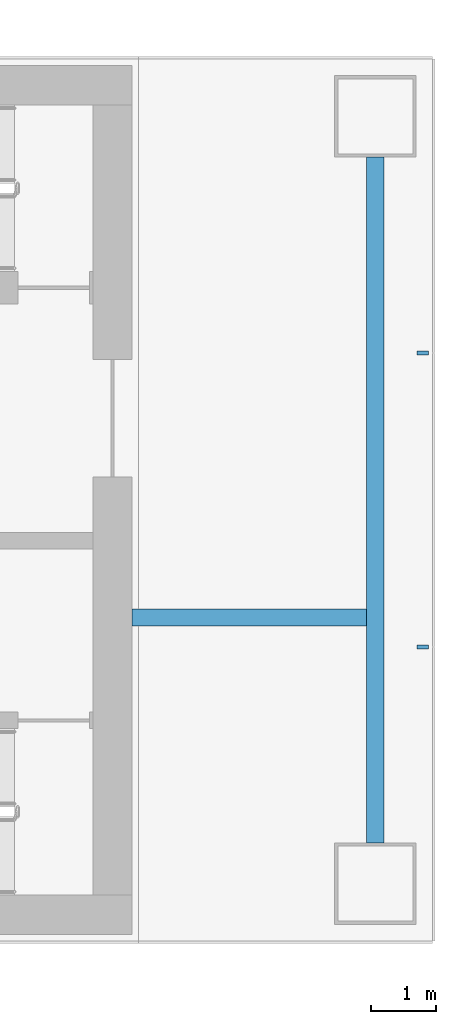
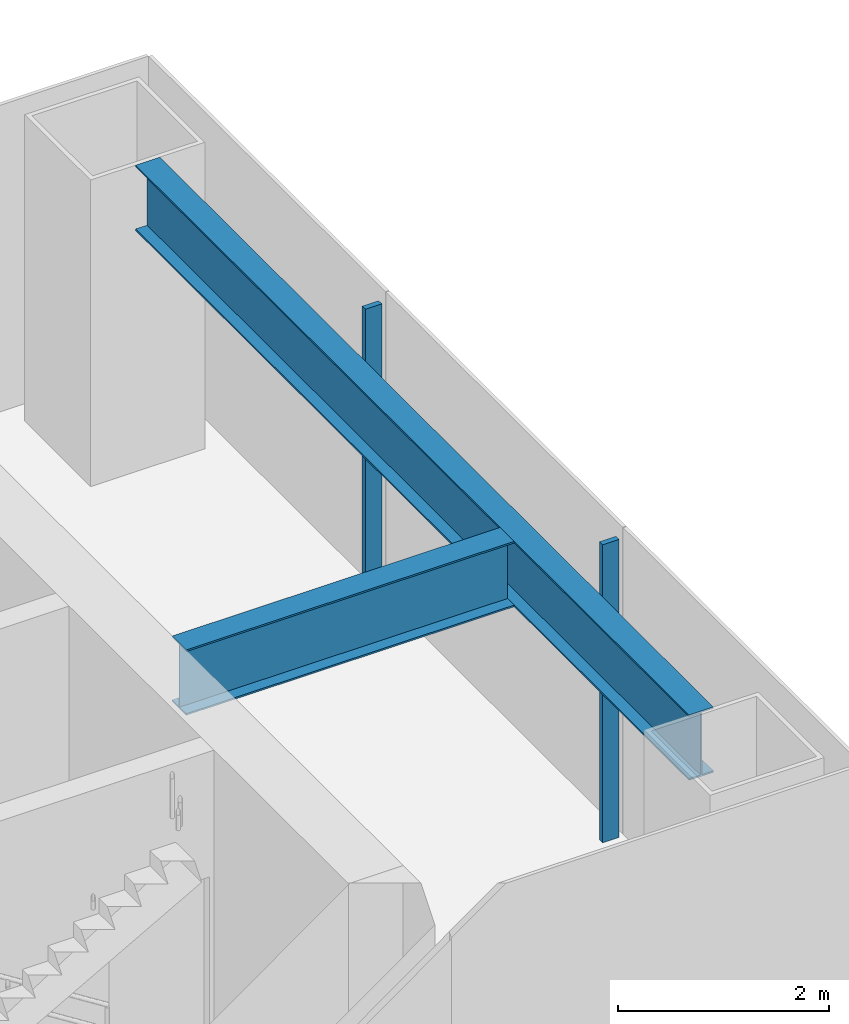
# One storey, part 7 of 20: 2 beams, 2 members, 1 element without a shape of its own.
"""IFC4 building model written with IfcOpenShell, lengths in metres."""

from ifc_helpers import new_model, si_unit, direction, frame, origin, origin_2d, place, context, subcontext, project, spatial, rectangle, i_section, extrude, material, layer, layer_set, material_profile, profile_set, type_object, element, aggregate, save


model = new_model("IFC4")

# Units and contexts
model_context = context("Model", 3, precision=1e-05, world=origin(), true_north=direction((0.0, 1.0)))
body_context = subcontext(model_context, "Body", "Model", "MODEL_VIEW")
ifc_project = project(units=[si_unit("LENGTHUNIT", "METRE"), si_unit("AREAUNIT", "SQUARE_METRE"), si_unit("VOLUMEUNIT", "CUBIC_METRE"), si_unit("PLANEANGLEUNIT", "RADIAN"), si_unit("MASSUNIT", "GRAM", prefix="KILO")], contexts=[model_context])

# Site, building, storey
site_placement = place(None, origin())
site = spatial("IfcSite", under=ifc_project, at=site_placement, CompositionType="ELEMENT")
building_placement = place(site_placement, origin())
building = spatial("IfcBuilding", under=site, at=building_placement, Name="Shamsa Quay Exchange Towers", CompositionType="ELEMENT")
storey_placement = place(building_placement, frame((0.0, 0.0, 120.89990234375)))
storey = spatial("IfcBuildingStorey", under=building, at=storey_placement, Name="L28", CompositionType="ELEMENT", Elevation=120.89990234375)

# Curtain wall, members
ifc_material_1 = material(Name="Aluminium EN AW-6063 T6, black anodised", Category="aluminium")
ifc_layer = layer(ifc_material_1, 0.280029296875)
ifc_layer_set = layer_set([ifc_layer], Name="CW-1 UNITISED VISION GLASS")
curtain_wall_type = type_object("IfcCurtainWallType", Name="CW-1 UNITISED VISION GLASS", PredefinedType="NOTDEFINED", material=ifc_layer_set)
curtain_wall_placement = place(storey_placement, origin())
curtain_wall = element("IfcCurtainWall", 1, at=curtain_wall_placement, inside=storey, type_object=curtain_wall_type, Name="CW1 T2-END-V- L28", PredefinedType="NOTDEFINED")
ifc_material_profile_1 = material_profile(ifc_material_1, rectangle(XDim=0.179931640625, YDim=0.06005859375, at=origin_2d()), Name="MU60x180")
ifc_profile_set_1 = profile_set([ifc_material_profile_1], Name="Aluminium EN AW-6063 T6, black anodised")
member_type = type_object("IfcMemberType", Name="CW1 MULLION 60x180", PredefinedType="MULLION", material=ifc_profile_set_1)
member_1_placement = place(storey_placement, frame((58.35009765625, -2.25, 0.0), z_axis=(0.0, 0.0, 1.0), x_axis=(-1.0, 0.0, 0.0)))
member_1 = element("IfcMember", 2, at=member_1_placement, type_object=member_type, Name="CW1 mullion", PredefinedType="MULLION", context=body_context, shape_type="SweptSolid", body=[
    extrude(rectangle(XDim=0.179931640625, YDim=0.06005859375, at=origin_2d()), origin(), (0.0, 0.0, 1.0), 3.4501953125),
])
member_2_placement = place(storey_placement, frame((58.35009765625, 2.25, 0.0), z_axis=(0.0, 0.0, 1.0), x_axis=(-1.0, 0.0, 0.0)))
member_2 = element("IfcMember", 3, at=member_2_placement, type_object=member_type, Name="CW1 mullion", PredefinedType="MULLION", context=body_context, shape_type="SweptSolid", body=[
    extrude(rectangle(XDim=0.179931640625, YDim=0.06005859375, at=origin_2d()), origin(), (0.0, 0.0, 1.0), 3.4501953125),
])
aggregate(curtain_wall, [member_1, member_2])

# Beams
ifc_material_2 = material(Name="Steel S355", Category="steel")
ifc_material_profile_2 = material_profile(ifc_material_2, i_section(OverallWidth=0.26611328125, OverallDepth=0.7578125, WebThickness=0.013916015625, FlangeThickness=0.019287109375, at=origin_2d()), Name="W30x108")
ifc_profile_set_2 = profile_set([ifc_material_profile_2], Name="Steel S355")
beam_type = type_object("IfcBeamType", Name="End-zone beam W30x108", PredefinedType="BEAM", material=ifc_profile_set_2)
beam_1_placement = place(storey_placement, frame((57.625, -5.25, 3.171142578125), z_axis=(0.0, 1.0, 0.0), x_axis=(-1.0, 0.0, 0.0)))
element("IfcBeam", 4, at=beam_1_placement, inside=storey, type_object=beam_type, Name="End beam T2 V- end zone L28", PredefinedType="BEAM", context=body_context, shape_type="SweptSolid", body=[
    extrude(i_section(OverallWidth=0.26611328125, OverallDepth=0.7578125, WebThickness=0.013916015625, FlangeThickness=0.019287109375, at=origin_2d()), origin(), (0.0, 0.0, 1.0), 10.5),
])
beam_2_placement = place(storey_placement, frame((53.89990234375, -1.800048828125, 3.171142578125), z_axis=(1.0, 0.0, 0.0), x_axis=(0.0, 1.0, 0.0)))
element("IfcBeam", 5, at=beam_2_placement, inside=storey, type_object=beam_type, Name="Spine beam T2 V- end zone L28", PredefinedType="BEAM", context=body_context, shape_type="SweptSolid", body=[
    extrude(i_section(OverallWidth=0.26611328125, OverallDepth=0.7578125, WebThickness=0.013916015625, FlangeThickness=0.019287109375, at=origin_2d()), origin(), (0.0, 0.0, 1.0), 3.592041015625),
])

save(model, "model.ifc")
